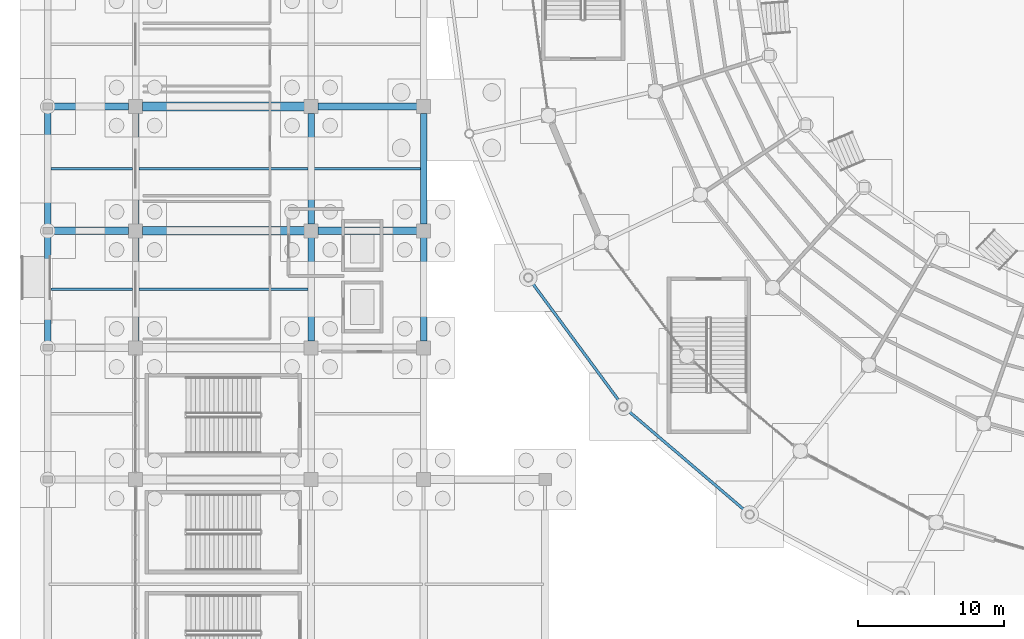
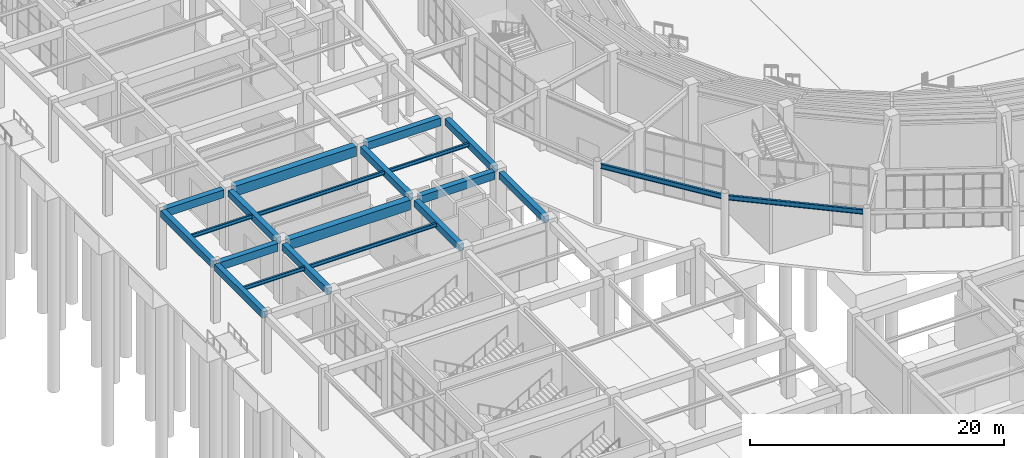
# One storey, part 27 of 121: 21 beams.
"""IFC4 building model written with IfcOpenShell, lengths in metres."""

from ifc_helpers import new_model, si_unit, direction, frame, origin, origin_2d, place, context, subcontext, project, spatial, rectangle, i_section, extrude, material, material_profile, profile_set, type_object, element, save


model = new_model("IFC4")

# Units and contexts
model_context = context("Model", 3, precision=1e-05, world=origin(), true_north=direction((0.0, 1.0)))
body_context = subcontext(model_context, "Body", "Model", "MODEL_VIEW")
ifc_project = project(units=[si_unit("LENGTHUNIT", "METRE"), si_unit("AREAUNIT", "SQUARE_METRE"), si_unit("VOLUMEUNIT", "CUBIC_METRE"), si_unit("PLANEANGLEUNIT", "RADIAN"), si_unit("MASSUNIT", "GRAM", prefix="KILO")], contexts=[model_context])

# Site, building, storey
site_placement = place(None, origin())
site = spatial("IfcSite", under=ifc_project, at=site_placement, CompositionType="ELEMENT")
building_placement = place(site_placement, origin())
building = spatial("IfcBuilding", under=site, at=building_placement, Name="Cuetzalor Civic Arena", CompositionType="ELEMENT")
storey_placement = place(building_placement, origin())
storey = spatial("IfcBuildingStorey", under=building, at=storey_placement, Name="L00", CompositionType="ELEMENT", Elevation=0.0)

# Beams
ifc_material_1 = material(Name="Concrete C40/50", Category="concrete")
ifc_material_profile_1 = material_profile(ifc_material_1, rectangle(XDim=0.5, YDim=0.75, at=origin_2d()), Name="RC 500x750")
ifc_profile_set_1 = profile_set([ifc_material_profile_1], Name="Concrete C40/50")
beam_type_1 = type_object("IfcBeamType", Name="ConcreteFrameBeam_500x750", PredefinedType="BEAM", material=ifc_profile_set_1)
beam_1_placement = place(storey_placement, frame((-81.68505859375, -17.0, 5.324951171875), z_axis=(1.0, 0.0, 0.0), x_axis=(0.0, 1.0, 0.0)))
element("IfcBeam", 1, at=beam_1_placement, inside=storey, type_object=beam_type_1, Name="Frame Girder V4W-L00-X0072", PredefinedType="BEAM", context=body_context, shape_type="SweptSolid", body=[
    extrude(rectangle(XDim=0.5, YDim=0.75, at=origin_2d()), origin(), (0.0, 0.0, 1.0), 5.219970703125),
])
beam_2_placement = place(storey_placement, frame((-63.534912109375, -17.0, 5.324951171875), z_axis=(1.0, 0.0, 0.0), x_axis=(0.0, 1.0, 0.0)))
element("IfcBeam", 2, at=beam_2_placement, inside=storey, type_object=beam_type_1, Name="Frame Girder V4W-L00-X0074", PredefinedType="BEAM", context=body_context, shape_type="SweptSolid", body=[
    extrude(rectangle(XDim=0.5, YDim=0.75, at=origin_2d()), origin(), (0.0, 0.0, 1.0), 6.77001953125),
])
beam_3_placement = place(storey_placement, frame((-81.68505859375, -8.5, 5.324951171875), z_axis=(1.0, 0.0, 0.0), x_axis=(0.0, 1.0, 0.0)))
element("IfcBeam", 3, at=beam_3_placement, inside=storey, type_object=beam_type_1, Name="Frame Girder V4W-L00-X0075", PredefinedType="BEAM", context=body_context, shape_type="SweptSolid", body=[
    extrude(rectangle(XDim=0.5, YDim=0.75, at=origin_2d()), origin(), (0.0, 0.0, 1.0), 5.219970703125),
])
beam_4_placement = place(storey_placement, frame((-63.534912109375, -8.5, 5.324951171875), z_axis=(1.0, 0.0, 0.0), x_axis=(0.0, 1.0, 0.0)))
element("IfcBeam", 4, at=beam_4_placement, inside=storey, type_object=beam_type_1, Name="Frame Girder V4W-L00-X0077", PredefinedType="BEAM", context=body_context, shape_type="SweptSolid", body=[
    extrude(rectangle(XDim=0.5, YDim=0.75, at=origin_2d()), origin(), (0.0, 0.0, 1.0), 6.77001953125),
])
ifc_material_2 = material(Name="Concrete C40/50", Category="concrete")
ifc_material_profile_2 = material_profile(ifc_material_2, rectangle(XDim=0.60009765625, YDim=0.949951171875, at=origin_2d()), Name="RC 600x950")
ifc_profile_set_2 = profile_set([ifc_material_profile_2], Name="Concrete C40/50")
beam_type_2 = type_object("IfcBeamType", Name="ConcreteFrameBeam_600x950", PredefinedType="BEAM", material=ifc_profile_set_2)
for number, where, z_axis, x_axis, name in (
    (5, (-75.534912109375, -17.0, 5.22509765625), (1.0, 0.0, 0.0), (0.0, 1.0, 0.0), "Frame Girder V4W-L00-X0073"),
    (6, (-75.534912109375, -8.5, 5.22509765625), (1.0, 0.0, 0.0), (0.0, 1.0, 0.0), "Frame Girder V4W-L00-X0076"),
):
    element("IfcBeam", number, at=place(storey_placement, frame(where, z_axis=z_axis, x_axis=x_axis)), inside=storey, type_object=beam_type_2, Name=name, PredefinedType="BEAM", context=body_context, shape_type="SweptSolid", body=[
        extrude(rectangle(XDim=0.60009765625, YDim=0.949951171875, at=origin_2d()), origin(), (0.0, 0.0, 1.0), 11.06982421875),
    ])
ifc_material_3 = material(Name="Concrete C40/50", Category="concrete")
ifc_material_profile_3 = material_profile(ifc_material_3, rectangle(XDim=0.449951171875, YDim=0.64990234375, at=origin_2d()), Name="RC 450x650")
ifc_profile_set_3 = profile_set([ifc_material_profile_3], Name="Concrete C40/50")
beam_type_3 = type_object("IfcBeamType", Name="ConcreteTieBeam_450x650", PredefinedType="BEAM", material=ifc_profile_set_3)
beam_5_placement = place(storey_placement, frame((-82.0, -24.784912109375, 5.375), z_axis=(0.0, 1.0, 0.0), x_axis=(-1.0, 0.0, 0.0)))
element("IfcBeam", 7, at=beam_5_placement, inside=storey, type_object=beam_type_3, Name="Frame Girder V4W-L00-Y0096", PredefinedType="BEAM", context=body_context, shape_type="SweptSolid", body=[
    extrude(rectangle(XDim=0.449951171875, YDim=0.64990234375, at=origin_2d()), origin(), (0.0, 0.0, 1.0), 7.56982421875),
])
beam_6_placement = place(storey_placement, frame((-82.0, -16.784912109375, 5.375), z_axis=(0.0, 1.0, 0.0), x_axis=(-1.0, 0.0, 0.0)))
element("IfcBeam", 8, at=beam_6_placement, inside=storey, type_object=beam_type_3, Name="Frame Girder V4W-L00-Y0097", PredefinedType="BEAM", context=body_context, shape_type="SweptSolid", body=[
    extrude(rectangle(XDim=0.449951171875, YDim=0.64990234375, at=origin_2d()), origin(), (0.0, 0.0, 1.0), 8.06982421875),
])
beam_7_placement = place(storey_placement, frame((-76.0, -24.534912109375, 5.375), z_axis=(0.0, 1.0, 0.0), x_axis=(-1.0, 0.0, 0.0)))
element("IfcBeam", 9, at=beam_7_placement, inside=storey, type_object=beam_type_3, Name="Frame Girder V4W-L00-Y0106", PredefinedType="BEAM", context=body_context, shape_type="SweptSolid", body=[
    extrude(rectangle(XDim=0.449951171875, YDim=0.64990234375, at=origin_2d()), origin(), (0.0, 0.0, 1.0), 7.06982421875),
])
beam_8_placement = place(storey_placement, frame((-76.0, -16.534912109375, 5.375), z_axis=(0.0, 1.0, 0.0), x_axis=(-1.0, 0.0, 0.0)))
element("IfcBeam", 10, at=beam_8_placement, inside=storey, type_object=beam_type_3, Name="Frame Girder V4W-L00-Y0107", PredefinedType="BEAM", context=body_context, shape_type="SweptSolid", body=[
    extrude(rectangle(XDim=0.449951171875, YDim=0.64990234375, at=origin_2d()), origin(), (0.0, 0.0, 1.0), 7.56982421875),
])
beam_9_placement = place(storey_placement, frame((-64.0, -24.534912109375, 5.375), z_axis=(0.0, 1.0, 0.0), x_axis=(-1.0, 0.0, 0.0)))
element("IfcBeam", 11, at=beam_9_placement, inside=storey, type_object=beam_type_3, Name="Frame Girder V4W-L00-Y0116", PredefinedType="BEAM", context=body_context, shape_type="SweptSolid", body=[
    extrude(rectangle(XDim=0.449951171875, YDim=0.64990234375, at=origin_2d()), origin(), (0.0, 0.0, 1.0), 7.06982421875),
])
beam_10_placement = place(storey_placement, frame((-64.0, -16.534912109375, 5.375), z_axis=(0.0, 1.0, 0.0), x_axis=(-1.0, 0.0, 0.0)))
element("IfcBeam", 12, at=beam_10_placement, inside=storey, type_object=beam_type_3, Name="Frame Girder V4W-L00-Y0117", PredefinedType="BEAM", context=body_context, shape_type="SweptSolid", body=[
    extrude(rectangle(XDim=0.449951171875, YDim=0.64990234375, at=origin_2d()), origin(), (0.0, 0.0, 1.0), 7.56982421875),
])
beam_11_placement = place(storey_placement, frame((-56.300048828125, -24.534912109375, 5.375), z_axis=(0.0, 1.0, 0.0), x_axis=(-1.0, 0.0, 0.0)))
element("IfcBeam", 13, at=beam_11_placement, inside=storey, type_object=beam_type_3, Name="Frame Girder V4W-L00-Y0126", PredefinedType="BEAM", context=body_context, shape_type="SweptSolid", body=[
    extrude(rectangle(XDim=0.449951171875, YDim=0.64990234375, at=origin_2d()), origin(), (0.0, 0.0, 1.0), 7.06982421875),
])
beam_12_placement = place(storey_placement, frame((-56.300048828125, -16.534912109375, 5.375), z_axis=(0.0, 1.0, 0.0), x_axis=(-1.0, 0.0, 0.0)))
element("IfcBeam", 14, at=beam_12_placement, inside=storey, type_object=beam_type_3, Name="Frame Girder V4W-L00-Y0127", PredefinedType="BEAM", context=body_context, shape_type="SweptSolid", body=[
    extrude(rectangle(XDim=0.449951171875, YDim=0.64990234375, at=origin_2d()), origin(), (0.0, 0.0, 1.0), 7.56982421875),
])
ifc_material_4 = material(Name="Steel S355", Category="steel")
ifc_material_profile_4 = material_profile(ifc_material_4, i_section(OverallWidth=0.18994140625, OverallDepth=0.45703125, WebThickness=0.009033203125, FlangeThickness=0.014404296875, at=origin_2d()), Name="W460x74")
ifc_profile_set_4 = profile_set([ifc_material_profile_4], Name="Steel S355")
beam_type_4 = type_object("IfcBeamType", Name="FacadeSpandrelBeam_W460", PredefinedType="SPANDREL", material=ifc_profile_set_4)
beam_13_placement = place(storey_placement, frame((-48.975830078125, -20.430908203125, 5.471435546875), z_axis=(0.592928645702, -0.805255003776, 0.0), x_axis=(0.805255003776, 0.592928645702, 0.0)))
element("IfcBeam", 15, at=beam_13_placement, inside=storey, type_object=beam_type_4, Name="Drum Perimeter Spandrel L00-S17", PredefinedType="SPANDREL", context=body_context, shape_type="SweptSolid", body=[
    extrude(i_section(OverallWidth=0.18994140625, OverallDepth=0.45703125, WebThickness=0.009033203125, FlangeThickness=0.014404296875, at=origin_2d()), origin(), (0.0, 0.0, 1.0), 10.380615234375),
])
beam_14_placement = place(storey_placement, frame((-42.42822265625, -29.211669921875, 5.471435546875), z_axis=(0.760676650628, -0.649130983076, 0.0), x_axis=(0.649130983076, 0.760676650628, 0.0)))
element("IfcBeam", 16, at=beam_14_placement, inside=storey, type_object=beam_type_4, Name="Drum Perimeter Spandrel L00-S18", PredefinedType="SPANDREL", context=body_context, shape_type="SweptSolid", body=[
    extrude(i_section(OverallWidth=0.18994140625, OverallDepth=0.45703125, WebThickness=0.009033203125, FlangeThickness=0.014404296875, at=origin_2d()), origin(), (0.0, 0.0, 1.0), 10.77490234375),
])
ifc_material_5 = material(Name="Steel S355", Category="steel")
ifc_material_profile_5 = material_profile(ifc_material_5, i_section(OverallWidth=0.1708984375, OverallDepth=0.35498046875, WebThickness=0.007080078125, FlangeThickness=0.01171875, at=origin_2d()), Name="W360x51")
ifc_profile_set_5 = profile_set([ifc_material_profile_5], Name="Steel S355")
beam_type_5 = type_object("IfcBeamType", Name="SecondaryFloorJoist_W360", PredefinedType="JOIST", material=ifc_profile_set_5)
for number, where, z_axis, x_axis, name in (
    (17, (-81.782958984375, -21.0, 5.5224609375), (1.0, 0.0, 0.0), (0.0, 1.0, 0.0), "Secondary Floor Joist V4W-L00-0018"),
    (18, (-81.782958984375, -12.75, 5.5224609375), (1.0, 0.0, 0.0), (0.0, 1.0, 0.0), "Secondary Floor Joist V4W-L00-0019"),
):
    element("IfcBeam", number, at=place(storey_placement, frame(where, z_axis=z_axis, x_axis=x_axis)), inside=storey, type_object=beam_type_5, Name=name, PredefinedType="JOIST", context=body_context, shape_type="SweptSolid", body=[
        extrude(i_section(OverallWidth=0.1708984375, OverallDepth=0.35498046875, WebThickness=0.007080078125, FlangeThickness=0.01171875, at=origin_2d()), origin(), (0.0, 0.0, 1.0), 5.56591796875),
    ])
for number, where, z_axis, x_axis, name in (
    (19, (-75.782958984375, -21.0, 5.5224609375), (1.0, 0.0, 0.0), (0.0, 1.0, 0.0), "Secondary Floor Joist V4W-L00-0026"),
    (20, (-75.782958984375, -12.75, 5.5224609375), (1.0, 0.0, 0.0), (0.0, 1.0, 0.0), "Secondary Floor Joist V4W-L00-0027"),
):
    element("IfcBeam", number, at=place(storey_placement, frame(where, z_axis=z_axis, x_axis=x_axis)), inside=storey, type_object=beam_type_5, Name=name, PredefinedType="JOIST", context=body_context, shape_type="SweptSolid", body=[
        extrude(i_section(OverallWidth=0.1708984375, OverallDepth=0.35498046875, WebThickness=0.007080078125, FlangeThickness=0.01171875, at=origin_2d()), origin(), (0.0, 0.0, 1.0), 11.56591796875),
    ])
beam_15_placement = place(storey_placement, frame((-63.782958984375, -12.75, 5.5224609375), z_axis=(1.0, 0.0, 0.0), x_axis=(0.0, 1.0, 0.0)))
element("IfcBeam", 21, at=beam_15_placement, inside=storey, type_object=beam_type_5, Name="Secondary Floor Joist V4W-L00-0035", PredefinedType="JOIST", context=body_context, shape_type="SweptSolid", body=[
    extrude(i_section(OverallWidth=0.1708984375, OverallDepth=0.35498046875, WebThickness=0.007080078125, FlangeThickness=0.01171875, at=origin_2d()), origin(), (0.0, 0.0, 1.0), 7.265869140625),
])

save(model, "model.ifc")
